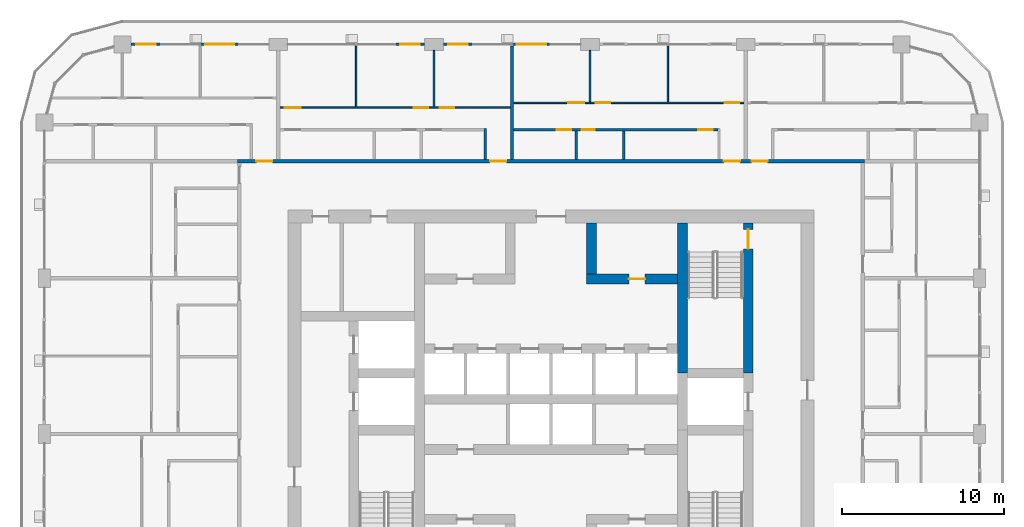
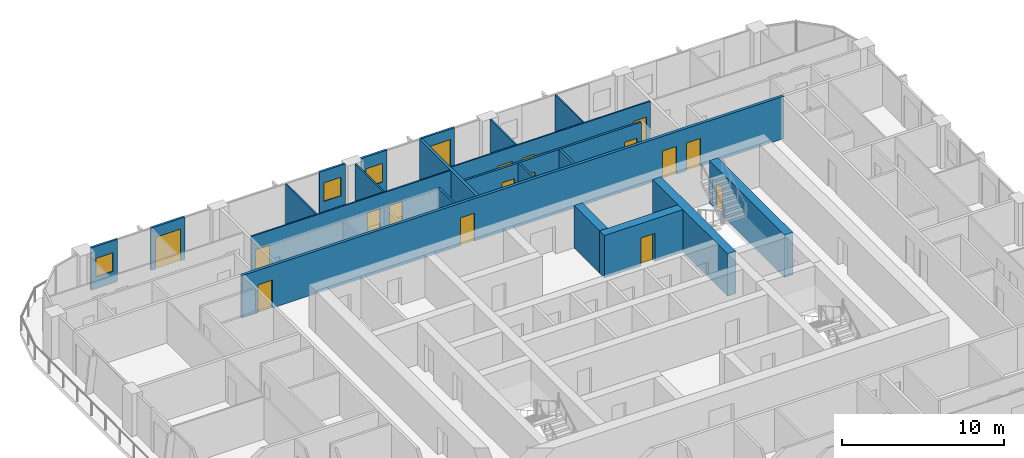
# One storey, part 14 of 22: 21 walls, 17 doors, 3 windows, 20 openings.
"""IFC4 building model written with IfcOpenShell, lengths in metres."""

from ifc_helpers import new_model, si_unit, direction, frame, frame_2d, origin, place, context, subcontext, project, spatial, rectangle, extrude, material, layer, layer_set, type_object, element, fill, save


model = new_model("IFC4")

# Units and contexts
model_context = context("Model", 3, precision=1e-05, world=origin(), true_north=direction((0.0, 1.0)))
body_context = subcontext(model_context, "Body", "Model", "MODEL_VIEW")
ifc_project = project(units=[si_unit("LENGTHUNIT", "METRE"), si_unit("AREAUNIT", "SQUARE_METRE"), si_unit("VOLUMEUNIT", "CUBIC_METRE"), si_unit("PLANEANGLEUNIT", "RADIAN"), si_unit("MASSUNIT", "GRAM", prefix="KILO")], contexts=[model_context])

# Site, building, storey
site_placement = place(None, origin())
site = spatial("IfcSite", under=ifc_project, at=site_placement, CompositionType="ELEMENT")
building_placement = place(site_placement, origin())
building = spatial("IfcBuilding", under=site, at=building_placement, Name="Madar Terraces", CompositionType="ELEMENT")
storey_placement = place(building_placement, frame((0.0, 0.0, 152.5)))
storey = spatial("IfcBuildingStorey", under=building, at=storey_placement, Name="L39", CompositionType="ELEMENT", Elevation=152.5)

# Wall
ifc_material_1 = material(Name="Concrete C70/85", Category="concrete")
ifc_layer_1 = layer(ifc_material_1, 0.60009765625)
ifc_layer_set_1 = layer_set([ifc_layer_1], Name="Concrete C70/85 (CIW3 RC wall 600)")
wall_type_1 = type_object("IfcWallType", Name="CIW3 RC wall 600", PredefinedType="SHEAR", material=ifc_layer_set_1)
wall_1_placement = place(storey_placement, frame((39.300048828125, 27.75, 0.0), z_axis=(0.0, 0.0, 1.0), x_axis=(0.0, 1.0, 0.0)))
element("IfcWall", 1, at=wall_1_placement, inside=storey, type_object=wall_type_1, Name="CORE SHAFT WALL", PredefinedType="SHEAR", context=body_context, shape_type="SweptSolid", body=[
    extrude(rectangle(XDim=9.25, YDim=0.60009765625, at=frame_2d((4.625, 0.0))), origin(), (0.0, 0.0, 1.0), 3.199951171875),
])

# Wall, opening, door
wall_2_placement = place(storey_placement, frame((43.35009765625, 27.75, 0.0), z_axis=(0.0, 0.0, 1.0), x_axis=(0.0, 1.0, 0.0)))
wall_2 = element("IfcWall", 2, at=wall_2_placement, inside=storey, type_object=wall_type_1, Name="CORE SHAFT WALL", PredefinedType="SHEAR", context=body_context, shape_type="SweptSolid", body=[
    extrude(rectangle(XDim=9.25, YDim=0.60009765625, at=frame_2d((4.625, 0.0))), origin(), (0.0, 0.0, 1.0), 3.199951171875),
])
opening_1_placement = place(wall_2_placement, frame((7.64990234375, 0.0, 0.0)))
opening_1 = element("IfcOpeningElement", 3, at=opening_1_placement, cuts=wall_2, Name="Opening SD1", PredefinedType="OPENING", context=body_context, shape_type="SweptSolid", body=[
    extrude(rectangle(XDim=1.199951171875, YDim=2.10009765625, at=frame_2d((0.60009765625, 1.050048828125))), frame((0.0, 0.31005859375, 0.0), z_axis=(0.0, -1.0, 0.0), x_axis=(1.0, 0.0, 0.0)), (0.0, 0.0, 1.0), 0.6201171875),
])
ifc_material_2 = material(Name="Steel door leaf", Category="steel")
door_type_1 = type_object("IfcDoorType", Name="Stair door 1200 x 2100", OperationType="NOTDEFINED", PredefinedType="DOOR", material=ifc_material_2)
door_1_placement = place(opening_1_placement, origin())
door_1 = element("IfcDoor", 4, at=door_1_placement, inside=storey, type_object=door_type_1, Name="STAIR DOOR", OperationType="SINGLE_SWING_LEFT", OverallHeight=2.10009765625, OverallWidth=1.199951171875, PredefinedType="DOOR", context=body_context, shape_type="SweptSolid", body=[
    extrude(rectangle(XDim=1.199951171875, YDim=2.10009765625, at=frame_2d((0.60009765625, 1.050048828125))), frame((0.0, 0.02490234375, 0.0), z_axis=(0.0, -1.0, 0.0), x_axis=(1.0, 0.0, 0.0)), (0.0, 0.0, 1.0), 0.050048828125),
])
fill(opening_1, door_1)

wall_3_placement = place(storey_placement, frame((33.39990234375, 33.550048828125, 0.0), z_axis=(0.0, 0.0, 1.0), x_axis=(1.0, 0.0, 0.0)))
wall_3 = element("IfcWall", 5, at=wall_3_placement, inside=storey, type_object=wall_type_1, Name="CORE SHAFT WALL", PredefinedType="SHEAR", context=body_context, shape_type="SweptSolid", body=[
    extrude(rectangle(XDim=5.60009765625, YDim=0.60009765625, at=frame_2d((2.800048828125, 0.0))), origin(), (0.0, 0.0, 1.0), 3.199951171875),
])
opening_2_placement = place(wall_3_placement, frame((2.60009765625, 0.0, 0.0)))
opening_2 = element("IfcOpeningElement", 6, at=opening_2_placement, cuts=wall_3, Name="Opening KD2", PredefinedType="OPENING", context=body_context, shape_type="SweptSolid", body=[
    extrude(rectangle(XDim=1.0, YDim=2.10009765625, at=frame_2d((0.5, 1.050048828125))), frame((0.0, 0.31005859375, 0.0), z_axis=(0.0, -1.0, 0.0), x_axis=(1.0, 0.0, 0.0)), (0.0, 0.0, 1.0), 0.6201171875),
])
ifc_material_3 = material(Name="Steel door leaf", Category="steel")
door_type_2 = type_object("IfcDoorType", Name="Service room door 1000 x 2100", OperationType="NOTDEFINED", PredefinedType="DOOR", material=ifc_material_3)
door_2_placement = place(opening_2_placement, frame((1.0, 0.0, 0.0), z_axis=(0.0, 0.0, 1.0), x_axis=(-1.0, 0.0, 0.0)))
door_2 = element("IfcDoor", 7, at=door_2_placement, inside=storey, type_object=door_type_2, Name="SERVICE ROOM DOOR", OperationType="SINGLE_SWING_LEFT", OverallHeight=2.10009765625, OverallWidth=1.0, PredefinedType="DOOR", context=body_context, shape_type="SweptSolid", body=[
    extrude(rectangle(XDim=1.0, YDim=2.10009765625, at=frame_2d((0.5, 1.050048828125))), frame((0.0, 0.02490234375, 0.0), z_axis=(0.0, -1.0, 0.0), x_axis=(1.0, 0.0, 0.0)), (0.0, 0.0, 1.0), 0.050048828125),
])
fill(opening_2, door_2)

# Wall
wall_4_placement = place(storey_placement, frame((33.699951171875, 33.85009765625, 0.0), z_axis=(0.0, 0.0, 1.0), x_axis=(0.0, 1.0, 0.0)))
element("IfcWall", 8, at=wall_4_placement, inside=storey, type_object=wall_type_1, Name="CORE SHAFT WALL", PredefinedType="SHEAR", context=body_context, shape_type="SweptSolid", body=[
    extrude(rectangle(XDim=3.14990234375, YDim=0.60009765625, at=frame_2d((1.574951171875, 0.0))), origin(), (0.0, 0.0, 1.0), 3.199951171875),
])

# Wall, opening, door
ifc_material_4 = material(Name="Aluminium composite panel, black, over insulated backing", Category="aluminium")
ifc_layer_2 = layer(ifc_material_4, 0.14990234375)
ifc_layer_set_2 = layer_set([ifc_layer_2], Name="Facade bay panel 150")
wall_type_2 = type_object("IfcWallType", Name="Facade bay panel 150", PredefinedType="SOLIDWALL", material=ifc_layer_set_2)
wall_5_placement = place(storey_placement, frame((31.199951171875, 48.0, 0.0), z_axis=(0.0, 0.0, 1.0), x_axis=(-1.0, 0.0, 0.0)))
wall_5 = element("IfcWall", 9, at=wall_5_placement, inside=storey, type_object=wall_type_2, Name="Facade bay panel", PredefinedType="SOLIDWALL", context=body_context, shape_type="SweptSolid", body=[
    extrude(rectangle(XDim=2.39990234375, YDim=0.14990234375, at=frame_2d((1.199951171875, 0.0))), origin(), (0.0, 0.0, 1.0), 3.199951171875),
])
opening_3_placement = place(wall_5_placement, frame((0.300048828125, 0.0, 0.0)))
opening_3 = element("IfcOpeningElement", 10, at=opening_3_placement, cuts=wall_5, Name="Opening ED1", PredefinedType="OPENING", context=body_context, shape_type="SweptSolid", body=[
    extrude(rectangle(XDim=1.800048828125, YDim=2.39990234375, at=frame_2d((0.89990234375, 1.199951171875))), frame((0.0, 0.0849609375, 0.0), z_axis=(0.0, -1.0, 0.0), x_axis=(1.0, 0.0, 0.0)), (0.0, 0.0, 1.0), 0.169921875),
])
ifc_material_5 = material(Name="Glass, clear, with black aluminium frame", Category="aluminium")
door_type_3 = type_object("IfcDoorType", Name="Balcony and terrace sliding door 1800 x 2400", OperationType="SLIDING_TO_LEFT", PredefinedType="DOOR", material=ifc_material_5)
door_3_placement = place(opening_3_placement, origin())
door_3 = element("IfcDoor", 11, at=door_3_placement, inside=storey, type_object=door_type_3, Name="Balcony door", OperationType="SLIDING_TO_LEFT", OverallHeight=2.39990234375, OverallWidth=1.800048828125, PredefinedType="DOOR", context=body_context, shape_type="SweptSolid", body=[
    extrude(rectangle(XDim=1.800048828125, YDim=2.39990234375, at=frame_2d((0.89990234375, 1.199951171875))), frame((0.0, 0.02490234375, 0.0), z_axis=(0.0, -1.0, 0.0), x_axis=(1.0, 0.0, 0.0)), (0.0, 0.0, 1.0), 0.050048828125),
])
fill(opening_3, door_3)

# Wall, opening, window
wall_6_placement = place(storey_placement, frame((26.39990234375, 48.0, 0.0), z_axis=(0.0, 0.0, 1.0), x_axis=(-1.0, 0.0, 0.0)))
wall_6 = element("IfcWall", 12, at=wall_6_placement, inside=storey, type_object=wall_type_2, Name="Facade bay panel", PredefinedType="SOLIDWALL", context=body_context, shape_type="SweptSolid", body=[
    extrude(rectangle(XDim=1.824951171875, YDim=0.14990234375, at=frame_2d((0.91259765625, 0.0))), origin(), (0.0, 0.0, 1.0), 3.199951171875),
])
opening_4_placement = place(wall_6_placement, frame((0.3125, 0.0, 0.89990234375)))
opening_4 = element("IfcOpeningElement", 13, at=opening_4_placement, cuts=wall_6, Name="Opening W1", PredefinedType="OPENING", context=body_context, shape_type="SweptSolid", body=[
    extrude(rectangle(XDim=1.199951171875, YDim=1.39990234375, at=frame_2d((0.60009765625, 0.699951171875))), frame((0.0, 0.0849609375, 0.0), z_axis=(0.0, -1.0, 0.0), x_axis=(1.0, 0.0, 0.0)), (0.0, 0.0, 1.0), 0.169921875),
])
ifc_material_6 = material(Name="Glass, clear, with black aluminium frame", Category="aluminium")
window_type = type_object("IfcWindowType", Name="Vent window 1200 x 1400", PartitioningType="SINGLE_PANEL", PredefinedType="WINDOW", material=ifc_material_6)
window_1_placement = place(opening_4_placement, origin())
window_1 = element("IfcWindow", 14, at=window_1_placement, inside=storey, type_object=window_type, Name="Operable vent window", OverallHeight=1.39990234375, OverallWidth=1.199951171875, PartitioningType="SINGLE_PANEL", PredefinedType="WINDOW", context=body_context, shape_type="SweptSolid", body=[
    extrude(rectangle(XDim=1.199951171875, YDim=1.39990234375, at=frame_2d((0.60009765625, 0.699951171875))), frame((0.0, 0.030029296875, 0.0), z_axis=(0.0, -1.0, 0.0), x_axis=(1.0, 0.0, 0.0)), (0.0, 0.0, 1.0), 0.06005859375),
])
fill(opening_4, window_1)

wall_7_placement = place(storey_placement, frame((23.425048828125, 48.0, 0.0), z_axis=(0.0, 0.0, 1.0), x_axis=(-1.0, 0.0, 0.0)))
wall_7 = element("IfcWall", 15, at=wall_7_placement, inside=storey, type_object=wall_type_2, Name="Facade bay panel", PredefinedType="SOLIDWALL", context=body_context, shape_type="SweptSolid", body=[
    extrude(rectangle(XDim=1.824951171875, YDim=0.14990234375, at=frame_2d((0.91259765625, 0.0))), origin(), (0.0, 0.0, 1.0), 3.199951171875),
])
opening_5_placement = place(wall_7_placement, frame((0.3125, 0.0, 0.89990234375)))
opening_5 = element("IfcOpeningElement", 16, at=opening_5_placement, cuts=wall_7, Name="Opening W1", PredefinedType="OPENING", context=body_context, shape_type="SweptSolid", body=[
    extrude(rectangle(XDim=1.199951171875, YDim=1.39990234375, at=frame_2d((0.60009765625, 0.699951171875))), frame((0.0, 0.0849609375, 0.0), z_axis=(0.0, -1.0, 0.0), x_axis=(1.0, 0.0, 0.0)), (0.0, 0.0, 1.0), 0.169921875),
])
window_2_placement = place(opening_5_placement, origin())
window_2 = element("IfcWindow", 17, at=window_2_placement, inside=storey, type_object=window_type, Name="Operable vent window", OverallHeight=1.39990234375, OverallWidth=1.199951171875, PartitioningType="SINGLE_PANEL", PredefinedType="WINDOW", context=body_context, shape_type="SweptSolid", body=[
    extrude(rectangle(XDim=1.199951171875, YDim=1.39990234375, at=frame_2d((0.60009765625, 0.699951171875))), frame((0.0, 0.030029296875, 0.0), z_axis=(0.0, -1.0, 0.0), x_axis=(1.0, 0.0, 0.0)), (0.0, 0.0, 1.0), 0.06005859375),
])
fill(opening_5, window_2)

# Wall, opening, door
wall_8_placement = place(storey_placement, frame((12.0, 48.0, 0.0), z_axis=(0.0, 0.0, 1.0), x_axis=(-1.0, 0.0, 0.0)))
wall_8 = element("IfcWall", 18, at=wall_8_placement, inside=storey, type_object=wall_type_2, Name="Facade bay panel", PredefinedType="SOLIDWALL", context=body_context, shape_type="SweptSolid", body=[
    extrude(rectangle(XDim=2.39990234375, YDim=0.14990234375, at=frame_2d((1.199951171875, 0.0))), origin(), (0.0, 0.0, 1.0), 3.199951171875),
])
opening_6_placement = place(wall_8_placement, frame((0.300048828125, 0.0, 0.0)))
opening_6 = element("IfcOpeningElement", 19, at=opening_6_placement, cuts=wall_8, Name="Opening ED1", PredefinedType="OPENING", context=body_context, shape_type="SweptSolid", body=[
    extrude(rectangle(XDim=1.800048828125, YDim=2.39990234375, at=frame_2d((0.89990234375, 1.199951171875))), frame((0.0, 0.0849609375, 0.0), z_axis=(0.0, -1.0, 0.0), x_axis=(1.0, 0.0, 0.0)), (0.0, 0.0, 1.0), 0.169921875),
])
door_4_placement = place(opening_6_placement, origin())
door_4 = element("IfcDoor", 20, at=door_4_placement, inside=storey, type_object=door_type_3, Name="Balcony door", OperationType="SLIDING_TO_RIGHT", OverallHeight=2.39990234375, OverallWidth=1.800048828125, PredefinedType="DOOR", context=body_context, shape_type="SweptSolid", body=[
    extrude(rectangle(XDim=1.800048828125, YDim=2.39990234375, at=frame_2d((0.89990234375, 1.199951171875))), frame((0.0, 0.02490234375, 0.0), z_axis=(0.0, -1.0, 0.0), x_axis=(1.0, 0.0, 0.0)), (0.0, 0.0, 1.0), 0.050048828125),
])
fill(opening_6, door_4)

# Wall, opening, window
wall_9_placement = place(storey_placement, frame((7.199951171875, 48.0, 0.0), z_axis=(0.0, 0.0, 1.0), x_axis=(-1.0, 0.0, 0.0)))
wall_9 = element("IfcWall", 21, at=wall_9_placement, inside=storey, type_object=wall_type_2, Name="Facade bay panel", PredefinedType="SOLIDWALL", context=body_context, shape_type="SweptSolid", body=[
    extrude(rectangle(XDim=1.875, YDim=0.14990234375, at=frame_2d((0.9375, 0.0))), origin(), (0.0, 0.0, 1.0), 3.199951171875),
])
opening_7_placement = place(wall_9_placement, frame((0.33740234375, 0.0, 0.89990234375)))
opening_7 = element("IfcOpeningElement", 22, at=opening_7_placement, cuts=wall_9, Name="Opening W1", PredefinedType="OPENING", context=body_context, shape_type="SweptSolid", body=[
    extrude(rectangle(XDim=1.199951171875, YDim=1.39990234375, at=frame_2d((0.60009765625, 0.699951171875))), frame((0.0, 0.0849609375, 0.0), z_axis=(0.0, -1.0, 0.0), x_axis=(1.0, 0.0, 0.0)), (0.0, 0.0, 1.0), 0.169921875),
])
window_3_placement = place(opening_7_placement, origin())
window_3 = element("IfcWindow", 23, at=window_3_placement, inside=storey, type_object=window_type, Name="Operable vent window", OverallHeight=1.39990234375, OverallWidth=1.199951171875, PartitioningType="SINGLE_PANEL", PredefinedType="WINDOW", context=body_context, shape_type="SweptSolid", body=[
    extrude(rectangle(XDim=1.199951171875, YDim=1.39990234375, at=frame_2d((0.60009765625, 0.699951171875))), frame((0.0, 0.030029296875, 0.0), z_axis=(0.0, -1.0, 0.0), x_axis=(1.0, 0.0, 0.0)), (0.0, 0.0, 1.0), 0.06005859375),
])
fill(opening_7, window_3)

# Walls
ifc_material_7 = material(Name="Gypsum board on steel studs", Category="steel")
ifc_layer_3 = layer(ifc_material_7, 0.10009765625)
ifc_layer_set_3 = layer_set([ifc_layer_3], Name="Flat partition 100")
wall_type_3 = type_object("IfcWallType", Name="Flat partition 100", PredefinedType="PARTITIONING", material=ifc_layer_set_3)
wall_10_placement = place(storey_placement, frame((38.39990234375, 44.449951171875, 0.0), z_axis=(0.0, 0.0, 1.0), x_axis=(0.0, 1.0, 0.0)))
element("IfcWall", 24, at=wall_10_placement, inside=storey, type_object=wall_type_3, Name="Flat partition 100", PredefinedType="PARTITIONING", context=body_context, shape_type="SweptSolid", body=[
    extrude(rectangle(XDim=3.449951171875, YDim=0.10009765625, at=frame_2d((1.72509765625, 0.0))), origin(), (0.0, 0.0, 1.0), 3.199951171875),
])
wall_11_placement = place(storey_placement, frame((33.60009765625, 44.449951171875, 0.0), z_axis=(0.0, 0.0, 1.0), x_axis=(0.0, 1.0, 0.0)))
element("IfcWall", 25, at=wall_11_placement, inside=storey, type_object=wall_type_3, Name="Flat partition 100", PredefinedType="PARTITIONING", context=body_context, shape_type="SweptSolid", body=[
    extrude(rectangle(XDim=3.175048828125, YDim=0.10009765625, at=frame_2d((1.58740234375, 0.0))), origin(), (0.0, 0.0, 1.0), 3.199951171875),
])

# Wall, openings, doors
wall_12_placement = place(storey_placement, frame((28.89990234375, 44.39990234375, 0.0), z_axis=(0.0, 0.0, 1.0), x_axis=(1.0, 0.0, 0.0)))
wall_12 = element("IfcWall", 26, at=wall_12_placement, inside=storey, type_object=wall_type_3, Name="Flat partition 100", PredefinedType="PARTITIONING", context=body_context, shape_type="SweptSolid", body=[
    extrude(rectangle(XDim=14.2001953125, YDim=0.10009765625, at=frame_2d((7.10009765625, 0.0))), origin(), (0.0, 0.0, 1.0), 3.199951171875),
])
opening_8_placement = place(wall_12_placement, frame((13.0, 0.0, 0.0)))
opening_8 = element("IfcOpeningElement", 27, at=opening_8_placement, cuts=wall_12, Name="Opening D2", PredefinedType="OPENING", context=body_context, shape_type="SweptSolid", body=[
    extrude(rectangle(XDim=0.89990234375, YDim=2.10009765625, at=frame_2d((0.449951171875, 1.050048828125))), frame((0.0, 0.06005859375, 0.0), z_axis=(0.0, -1.0, 0.0), x_axis=(1.0, 0.0, 0.0)), (0.0, 0.0, 1.0), 0.1201171875),
])
opening_9_placement = place(wall_12_placement, frame((5.050048828125, 0.0, 0.0)))
opening_9 = element("IfcOpeningElement", 28, at=opening_9_placement, cuts=wall_12, Name="Opening D2", PredefinedType="OPENING", context=body_context, shape_type="SweptSolid", body=[
    extrude(rectangle(XDim=0.89990234375, YDim=2.10009765625, at=frame_2d((0.449951171875, 1.050048828125))), frame((0.0, 0.06005859375, 0.0), z_axis=(0.0, -1.0, 0.0), x_axis=(1.0, 0.0, 0.0)), (0.0, 0.0, 1.0), 0.1201171875),
])
opening_10_placement = place(wall_12_placement, frame((3.35009765625, 0.0, 0.0)))
opening_10 = element("IfcOpeningElement", 29, at=opening_10_placement, cuts=wall_12, Name="Opening D3", PredefinedType="OPENING", context=body_context, shape_type="SweptSolid", body=[
    extrude(rectangle(XDim=1.0, YDim=2.10009765625, at=frame_2d((0.5, 1.050048828125))), frame((0.0, 0.06005859375, 0.0), z_axis=(0.0, -1.0, 0.0), x_axis=(1.0, 0.0, 0.0)), (0.0, 0.0, 1.0), 0.1201171875),
])
ifc_material_8 = material(Name="Timber door leaf", Category="wood")
door_type_4 = type_object("IfcDoorType", Name="Flat living room door 1000", OperationType="NOTDEFINED", PredefinedType="DOOR", material=ifc_material_8)
door_5_placement = place(opening_10_placement, origin())
door_5 = element("IfcDoor", 30, at=door_5_placement, inside=storey, type_object=door_type_4, Name="Flat living room door 1000", OperationType="SINGLE_SWING_RIGHT", OverallHeight=2.10009765625, OverallWidth=1.0, PredefinedType="DOOR", context=body_context, shape_type="SweptSolid", body=[
    extrude(rectangle(XDim=1.0, YDim=2.10009765625, at=frame_2d((0.5, 1.050048828125))), frame((0.0, 0.02490234375, 0.0), z_axis=(0.0, -1.0, 0.0), x_axis=(1.0, 0.0, 0.0)), (0.0, 0.0, 1.0), 0.050048828125),
])
fill(opening_10, door_5)
ifc_material_9 = material(Name="Timber door leaf", Category="wood")
door_type_5 = type_object("IfcDoorType", Name="Flat room door 900", OperationType="NOTDEFINED", PredefinedType="DOOR", material=ifc_material_9)
door_6_placement = place(opening_8_placement, origin())
door_6 = element("IfcDoor", 31, at=door_6_placement, inside=storey, type_object=door_type_5, Name="Flat room door 900", OperationType="SINGLE_SWING_RIGHT", OverallHeight=2.10009765625, OverallWidth=0.89990234375, PredefinedType="DOOR", context=body_context, shape_type="SweptSolid", body=[
    extrude(rectangle(XDim=0.89990234375, YDim=2.10009765625, at=frame_2d((0.449951171875, 1.050048828125))), frame((0.0, 0.02490234375, 0.0), z_axis=(0.0, -1.0, 0.0), x_axis=(1.0, 0.0, 0.0)), (0.0, 0.0, 1.0), 0.050048828125),
])
fill(opening_8, door_6)
door_7_placement = place(opening_9_placement, origin())
door_7 = element("IfcDoor", 32, at=door_7_placement, inside=storey, type_object=door_type_5, Name="Flat room door 900", OperationType="SINGLE_SWING_LEFT", OverallHeight=2.10009765625, OverallWidth=0.89990234375, PredefinedType="DOOR", context=body_context, shape_type="SweptSolid", body=[
    extrude(rectangle(XDim=0.89990234375, YDim=2.10009765625, at=frame_2d((0.449951171875, 1.050048828125))), frame((0.0, 0.02490234375, 0.0), z_axis=(0.0, -1.0, 0.0), x_axis=(1.0, 0.0, 0.0)), (0.0, 0.0, 1.0), 0.050048828125),
])
fill(opening_9, door_7)

# Walls
wall_13_placement = place(storey_placement, frame((24.0, 44.14990234375, 0.0), z_axis=(0.0, 0.0, 1.0), x_axis=(0.0, 1.0, 0.0)))
element("IfcWall", 33, at=wall_13_placement, inside=storey, type_object=wall_type_3, Name="Flat partition 100", PredefinedType="PARTITIONING", context=body_context, shape_type="SweptSolid", body=[
    extrude(rectangle(XDim=3.47509765625, YDim=0.10009765625, at=frame_2d((1.737548828125, 0.0))), origin(), (0.0, 0.0, 1.0), 3.199951171875),
])
wall_14_placement = place(storey_placement, frame((19.199951171875, 44.14990234375, 0.0), z_axis=(0.0, 0.0, 1.0), x_axis=(0.0, 1.0, 0.0)))
element("IfcWall", 34, at=wall_14_placement, inside=storey, type_object=wall_type_3, Name="Flat partition 100", PredefinedType="PARTITIONING", context=body_context, shape_type="SweptSolid", body=[
    extrude(rectangle(XDim=3.75, YDim=0.10009765625, at=frame_2d((1.875, 0.0))), origin(), (0.0, 0.0, 1.0), 3.199951171875),
])

# Wall, openings, doors
wall_15_placement = place(storey_placement, frame((14.5, 44.10009765625, 0.0), z_axis=(0.0, 0.0, 1.0), x_axis=(1.0, 0.0, 0.0)))
wall_15 = element("IfcWall", 35, at=wall_15_placement, inside=storey, type_object=wall_type_3, Name="Flat partition 100", PredefinedType="PARTITIONING", context=body_context, shape_type="SweptSolid", body=[
    extrude(rectangle(XDim=14.199951171875, YDim=0.10009765625, at=frame_2d((7.10009765625, 0.0))), origin(), (0.0, 0.0, 1.0), 3.199951171875),
])
opening_11_placement = place(wall_15_placement, frame((9.85009765625, 0.0, 0.0)))
opening_11 = element("IfcOpeningElement", 36, at=opening_11_placement, cuts=wall_15, Name="Opening D2", PredefinedType="OPENING", context=body_context, shape_type="SweptSolid", body=[
    extrude(rectangle(XDim=0.89990234375, YDim=2.10009765625, at=frame_2d((0.449951171875, 1.050048828125))), frame((0.0, 0.06005859375, 0.0), z_axis=(0.0, -1.0, 0.0), x_axis=(1.0, 0.0, 0.0)), (0.0, 0.0, 1.0), 0.1201171875),
])
opening_12_placement = place(wall_15_placement, frame((8.25, 0.0, 0.0)))
opening_12 = element("IfcOpeningElement", 37, at=opening_12_placement, cuts=wall_15, Name="Opening D2", PredefinedType="OPENING", context=body_context, shape_type="SweptSolid", body=[
    extrude(rectangle(XDim=0.89990234375, YDim=2.10009765625, at=frame_2d((0.449951171875, 1.050048828125))), frame((0.0, 0.06005859375, 0.0), z_axis=(0.0, -1.0, 0.0), x_axis=(1.0, 0.0, 0.0)), (0.0, 0.0, 1.0), 0.1201171875),
])
opening_13_placement = place(wall_15_placement, frame((0.300048828125, 0.0, 0.0)))
opening_13 = element("IfcOpeningElement", 38, at=opening_13_placement, cuts=wall_15, Name="Opening D3", PredefinedType="OPENING", context=body_context, shape_type="SweptSolid", body=[
    extrude(rectangle(XDim=1.0, YDim=2.10009765625, at=frame_2d((0.5, 1.050048828125))), frame((0.0, 0.06005859375, 0.0), z_axis=(0.0, -1.0, 0.0), x_axis=(1.0, 0.0, 0.0)), (0.0, 0.0, 1.0), 0.1201171875),
])
door_8_placement = place(opening_13_placement, origin())
door_8 = element("IfcDoor", 39, at=door_8_placement, inside=storey, type_object=door_type_4, Name="Flat living room door 1000", OperationType="SINGLE_SWING_LEFT", OverallHeight=2.10009765625, OverallWidth=1.0, PredefinedType="DOOR", context=body_context, shape_type="SweptSolid", body=[
    extrude(rectangle(XDim=1.0, YDim=2.10009765625, at=frame_2d((0.5, 1.050048828125))), frame((0.0, 0.02490234375, 0.0), z_axis=(0.0, -1.0, 0.0), x_axis=(1.0, 0.0, 0.0)), (0.0, 0.0, 1.0), 0.050048828125),
])
fill(opening_13, door_8)
door_9_placement = place(opening_11_placement, origin())
door_9 = element("IfcDoor", 40, at=door_9_placement, inside=storey, type_object=door_type_5, Name="Flat room door 900", OperationType="SINGLE_SWING_LEFT", OverallHeight=2.10009765625, OverallWidth=0.89990234375, PredefinedType="DOOR", context=body_context, shape_type="SweptSolid", body=[
    extrude(rectangle(XDim=0.89990234375, YDim=2.10009765625, at=frame_2d((0.449951171875, 1.050048828125))), frame((0.0, 0.02490234375, 0.0), z_axis=(0.0, -1.0, 0.0), x_axis=(1.0, 0.0, 0.0)), (0.0, 0.0, 1.0), 0.050048828125),
])
fill(opening_11, door_9)
door_10_placement = place(opening_12_placement, origin())
door_10 = element("IfcDoor", 41, at=door_10_placement, inside=storey, type_object=door_type_5, Name="Flat room door 900", OperationType="SINGLE_SWING_RIGHT", OverallHeight=2.10009765625, OverallWidth=0.89990234375, PredefinedType="DOOR", context=body_context, shape_type="SweptSolid", body=[
    extrude(rectangle(XDim=0.89990234375, YDim=2.10009765625, at=frame_2d((0.449951171875, 1.050048828125))), frame((0.0, 0.02490234375, 0.0), z_axis=(0.0, -1.0, 0.0), x_axis=(1.0, 0.0, 0.0)), (0.0, 0.0, 1.0), 0.050048828125),
])
fill(opening_12, door_10)

ifc_material_10 = material(Name="Lightweight blockwork", Category="masonry")
ifc_layer_4 = layer(ifc_material_10, 0.199951171875)
ifc_layer_set_4 = layer_set([ifc_layer_4], Name="Flat party and entrance wall 200")
wall_type_4 = type_object("IfcWallType", Name="Flat party and entrance wall 200", PredefinedType="PARTITIONING", material=ifc_layer_set_4)
wall_16_placement = place(storey_placement, frame((11.89990234375, 40.800048828125, 0.0), z_axis=(0.0, 0.0, 1.0), x_axis=(1.0, 0.0, 0.0)))
wall_16 = element("IfcWall", 42, at=wall_16_placement, inside=storey, type_object=wall_type_4, Name="Flat party and entrance wall 200", PredefinedType="PARTITIONING", context=body_context, shape_type="SweptSolid", body=[
    extrude(rectangle(XDim=38.60009765625, YDim=0.199951171875, at=frame_2d((19.300048828125, 0.0))), origin(), (0.0, 0.0, 1.0), 3.199951171875),
])
opening_14_placement = place(wall_16_placement, frame((31.64990234375, 0.0, 0.0)))
opening_14 = element("IfcOpeningElement", 43, at=opening_14_placement, cuts=wall_16, Name="Opening D1", PredefinedType="OPENING", context=body_context, shape_type="SweptSolid", body=[
    extrude(rectangle(XDim=1.0, YDim=2.10009765625, at=frame_2d((0.5, 1.050048828125))), frame((0.0, 0.10986328125, 0.0), z_axis=(0.0, -1.0, 0.0), x_axis=(1.0, 0.0, 0.0)), (0.0, 0.0, 1.0), 0.219970703125),
])
opening_15_placement = place(wall_16_placement, frame((29.949951171875, 0.0, 0.0)))
opening_15 = element("IfcOpeningElement", 44, at=opening_15_placement, cuts=wall_16, Name="Opening D1", PredefinedType="OPENING", context=body_context, shape_type="SweptSolid", body=[
    extrude(rectangle(XDim=1.0, YDim=2.10009765625, at=frame_2d((0.5, 1.050048828125))), frame((0.0, 0.10986328125, 0.0), z_axis=(0.0, -1.0, 0.0), x_axis=(1.0, 0.0, 0.0)), (0.0, 0.0, 1.0), 0.219970703125),
])
opening_16_placement = place(wall_16_placement, frame((15.550048828125, 0.0, 0.0)))
opening_16 = element("IfcOpeningElement", 45, at=opening_16_placement, cuts=wall_16, Name="Opening D1", PredefinedType="OPENING", context=body_context, shape_type="SweptSolid", body=[
    extrude(rectangle(XDim=1.0, YDim=2.10009765625, at=frame_2d((0.5, 1.050048828125))), frame((0.0, 0.10986328125, 0.0), z_axis=(0.0, -1.0, 0.0), x_axis=(1.0, 0.0, 0.0)), (0.0, 0.0, 1.0), 0.219970703125),
])
opening_17_placement = place(wall_16_placement, frame((1.14990234375, 0.0, 0.0)))
opening_17 = element("IfcOpeningElement", 46, at=opening_17_placement, cuts=wall_16, Name="Opening D1", PredefinedType="OPENING", context=body_context, shape_type="SweptSolid", body=[
    extrude(rectangle(XDim=1.0, YDim=2.10009765625, at=frame_2d((0.5, 1.050048828125))), frame((0.0, 0.10986328125, 0.0), z_axis=(0.0, -1.0, 0.0), x_axis=(1.0, 0.0, 0.0)), (0.0, 0.0, 1.0), 0.219970703125),
])
ifc_material_11 = material(Name="Timber fire door leaf", Category="wood")
door_type_6 = type_object("IfcDoorType", Name="Flat entrance door 1000 FD30S", OperationType="NOTDEFINED", PredefinedType="DOOR", material=ifc_material_11)
door_11_placement = place(opening_14_placement, origin())
door_11 = element("IfcDoor", 47, at=door_11_placement, inside=storey, type_object=door_type_6, Name="Flat entrance door 1000 FD30S", OperationType="SINGLE_SWING_LEFT", OverallHeight=2.10009765625, OverallWidth=1.0, PredefinedType="DOOR", context=body_context, shape_type="SweptSolid", body=[
    extrude(rectangle(XDim=1.0, YDim=2.10009765625, at=frame_2d((0.5, 1.050048828125))), frame((0.0, 0.02490234375, 0.0), z_axis=(0.0, -1.0, 0.0), x_axis=(1.0, 0.0, 0.0)), (0.0, 0.0, 1.0), 0.050048828125),
])
fill(opening_14, door_11)
door_12_placement = place(opening_15_placement, origin())
door_12 = element("IfcDoor", 48, at=door_12_placement, inside=storey, type_object=door_type_6, Name="Flat entrance door 1000 FD30S", OperationType="SINGLE_SWING_RIGHT", OverallHeight=2.10009765625, OverallWidth=1.0, PredefinedType="DOOR", context=body_context, shape_type="SweptSolid", body=[
    extrude(rectangle(XDim=1.0, YDim=2.10009765625, at=frame_2d((0.5, 1.050048828125))), frame((0.0, 0.02490234375, 0.0), z_axis=(0.0, -1.0, 0.0), x_axis=(1.0, 0.0, 0.0)), (0.0, 0.0, 1.0), 0.050048828125),
])
fill(opening_15, door_12)
door_13_placement = place(opening_16_placement, origin())
door_13 = element("IfcDoor", 49, at=door_13_placement, inside=storey, type_object=door_type_6, Name="Flat entrance door 1000 FD30S", OperationType="SINGLE_SWING_RIGHT", OverallHeight=2.10009765625, OverallWidth=1.0, PredefinedType="DOOR", context=body_context, shape_type="SweptSolid", body=[
    extrude(rectangle(XDim=1.0, YDim=2.10009765625, at=frame_2d((0.5, 1.050048828125))), frame((0.0, 0.02490234375, 0.0), z_axis=(0.0, -1.0, 0.0), x_axis=(1.0, 0.0, 0.0)), (0.0, 0.0, 1.0), 0.050048828125),
])
fill(opening_16, door_13)
door_14_placement = place(opening_17_placement, origin())
door_14 = element("IfcDoor", 50, at=door_14_placement, inside=storey, type_object=door_type_6, Name="Flat entrance door 1000 FD30S", OperationType="SINGLE_SWING_RIGHT", OverallHeight=2.10009765625, OverallWidth=1.0, PredefinedType="DOOR", context=body_context, shape_type="SweptSolid", body=[
    extrude(rectangle(XDim=1.0, YDim=2.10009765625, at=frame_2d((0.5, 1.050048828125))), frame((0.0, 0.02490234375, 0.0), z_axis=(0.0, -1.0, 0.0), x_axis=(1.0, 0.0, 0.0)), (0.0, 0.0, 1.0), 0.050048828125),
])
fill(opening_17, door_14)

# Walls
wall_17_placement = place(storey_placement, frame((28.800048828125, 47.89990234375, 0.0), z_axis=(0.0, 0.0, 1.0), x_axis=(0.0, -1.0, 0.0)))
element("IfcWall", 51, at=wall_17_placement, inside=storey, type_object=wall_type_4, Name="Flat party and entrance wall 200", PredefinedType="PARTITIONING", context=body_context, shape_type="SweptSolid", body=[
    extrude(rectangle(XDim=7.0, YDim=0.199951171875, at=frame_2d((3.5, 0.0))), origin(), (0.0, 0.0, 1.0), 3.199951171875),
])
ifc_material_12 = material(Name="Lightweight blockwork", Category="masonry")
ifc_layer_5 = layer(ifc_material_12, 0.14990234375)
ifc_layer_set_5 = layer_set([ifc_layer_5], Name="Flat wet-room partition 150")
wall_type_5 = type_object("IfcWallType", Name="Flat wet-room partition 150", PredefinedType="PARTITIONING", material=ifc_layer_set_5)
for number, where, z_axis, x_axis, name in (
    (52, (35.671142578125, 40.89990234375, 0.0), (0.0, 0.0, 1.0), (0.0, 1.0, 0.0), "Flat wet-room partition 150"),
    (53, (32.769287109375, 40.89990234375, 0.0), (0.0, 0.0, 1.0), (0.0, 1.0, 0.0), "Flat wet-room partition 150"),
):
    element("IfcWall", number, at=place(storey_placement, frame(where, z_axis=z_axis, x_axis=x_axis)), inside=storey, type_object=wall_type_5, Name=name, PredefinedType="PARTITIONING", context=body_context, shape_type="SweptSolid", body=[
        extrude(rectangle(XDim=1.775146484375, YDim=0.14990234375, at=frame_2d((0.8876953125, 0.0))), origin(), (0.0, 0.0, 1.0), 3.199951171875),
    ])

# Wall, openings, doors
wall_18_placement = place(storey_placement, frame((41.47509765625, 42.75, 0.0), z_axis=(0.0, 0.0, 1.0), x_axis=(-1.0, 0.0, 0.0)))
wall_18 = element("IfcWall", 54, at=wall_18_placement, inside=storey, type_object=wall_type_5, Name="Flat wet-room partition 150", PredefinedType="PARTITIONING", context=body_context, shape_type="SweptSolid", body=[
    extrude(rectangle(XDim=12.5751953125, YDim=0.14990234375, at=frame_2d((6.28759765625, 0.0))), origin(), (0.0, 0.0, 1.0), 3.199951171875),
])
opening_18_placement = place(wall_18_placement, frame((0.300048828125, 0.0, 0.0)))
opening_18 = element("IfcOpeningElement", 55, at=opening_18_placement, cuts=wall_18, Name="Opening D2", PredefinedType="OPENING", context=body_context, shape_type="SweptSolid", body=[
    extrude(rectangle(XDim=0.89990234375, YDim=2.10009765625, at=frame_2d((0.449951171875, 1.050048828125))), frame((0.0, 0.0849609375, 0.0), z_axis=(0.0, -1.0, 0.0), x_axis=(1.0, 0.0, 0.0)), (0.0, 0.0, 1.0), 0.169921875),
])
opening_19_placement = place(wall_18_placement, frame((7.580810546875, 0.0, 0.0)))
opening_19 = element("IfcOpeningElement", 56, at=opening_19_placement, cuts=wall_18, Name="Opening D4", PredefinedType="OPENING", context=body_context, shape_type="SweptSolid", body=[
    extrude(rectangle(XDim=0.800048828125, YDim=2.10009765625, at=frame_2d((0.39990234375, 1.050048828125))), frame((0.0, 0.0849609375, 0.0), z_axis=(0.0, -1.0, 0.0), x_axis=(1.0, 0.0, 0.0)), (0.0, 0.0, 1.0), 0.169921875),
])
opening_20_placement = place(wall_18_placement, frame((9.03076171875, 0.0, 0.0)))
opening_20 = element("IfcOpeningElement", 57, at=opening_20_placement, cuts=wall_18, Name="Opening D5", PredefinedType="OPENING", context=body_context, shape_type="SweptSolid", body=[
    extrude(rectangle(XDim=0.89990234375, YDim=2.10009765625, at=frame_2d((0.449951171875, 1.050048828125))), frame((0.0, 0.0849609375, 0.0), z_axis=(0.0, -1.0, 0.0), x_axis=(1.0, 0.0, 0.0)), (0.0, 0.0, 1.0), 0.169921875),
])
ifc_material_13 = material(Name="Timber door leaf", Category="wood")
door_type_7 = type_object("IfcDoorType", Name="Flat accessible bathroom door 900", OperationType="NOTDEFINED", PredefinedType="DOOR", material=ifc_material_13)
door_15_placement = place(opening_20_placement, origin())
door_15 = element("IfcDoor", 58, at=door_15_placement, inside=storey, type_object=door_type_7, Name="Flat accessible bathroom door 900", OperationType="SINGLE_SWING_LEFT", OverallHeight=2.10009765625, OverallWidth=0.89990234375, PredefinedType="DOOR", context=body_context, shape_type="SweptSolid", body=[
    extrude(rectangle(XDim=0.89990234375, YDim=2.10009765625, at=frame_2d((0.449951171875, 1.050048828125))), frame((0.0, 0.02490234375, 0.0), z_axis=(0.0, -1.0, 0.0), x_axis=(1.0, 0.0, 0.0)), (0.0, 0.0, 1.0), 0.050048828125),
])
fill(opening_20, door_15)
ifc_material_14 = material(Name="Timber door leaf", Category="wood")
door_type_8 = type_object("IfcDoorType", Name="Flat bathroom door 800", OperationType="NOTDEFINED", PredefinedType="DOOR", material=ifc_material_14)
door_16_placement = place(opening_19_placement, origin())
door_16 = element("IfcDoor", 59, at=door_16_placement, inside=storey, type_object=door_type_8, Name="Flat bathroom door 800", OperationType="SINGLE_SWING_RIGHT", OverallHeight=2.10009765625, OverallWidth=0.800048828125, PredefinedType="DOOR", context=body_context, shape_type="SweptSolid", body=[
    extrude(rectangle(XDim=0.800048828125, YDim=2.10009765625, at=frame_2d((0.39990234375, 1.050048828125))), frame((0.0, 0.02490234375, 0.0), z_axis=(0.0, -1.0, 0.0), x_axis=(1.0, 0.0, 0.0)), (0.0, 0.0, 1.0), 0.050048828125),
])
fill(opening_19, door_16)
door_17_placement = place(opening_18_placement, origin())
door_17 = element("IfcDoor", 60, at=door_17_placement, inside=storey, type_object=door_type_5, Name="Flat room door 900", OperationType="SINGLE_SWING_LEFT", OverallHeight=2.10009765625, OverallWidth=0.89990234375, PredefinedType="DOOR", context=body_context, shape_type="SweptSolid", body=[
    extrude(rectangle(XDim=0.89990234375, YDim=2.10009765625, at=frame_2d((0.449951171875, 1.050048828125))), frame((0.0, 0.02490234375, 0.0), z_axis=(0.0, -1.0, 0.0), x_axis=(1.0, 0.0, 0.0)), (0.0, 0.0, 1.0), 0.050048828125),
])
fill(opening_18, door_17)

# Wall
wall_19_placement = place(storey_placement, frame((27.14990234375, 40.89990234375, 0.0), z_axis=(0.0, 0.0, 1.0), x_axis=(0.0, 1.0, 0.0)))
element("IfcWall", 61, at=wall_19_placement, inside=storey, type_object=wall_type_5, Name="Flat wet-room partition 150", PredefinedType="PARTITIONING", context=body_context, shape_type="SweptSolid", body=[
    extrude(rectangle(XDim=1.925048828125, YDim=0.14990234375, at=frame_2d((0.96240234375, 0.0))), origin(), (0.0, 0.0, 1.0), 3.199951171875),
])

save(model, "model.ifc")
